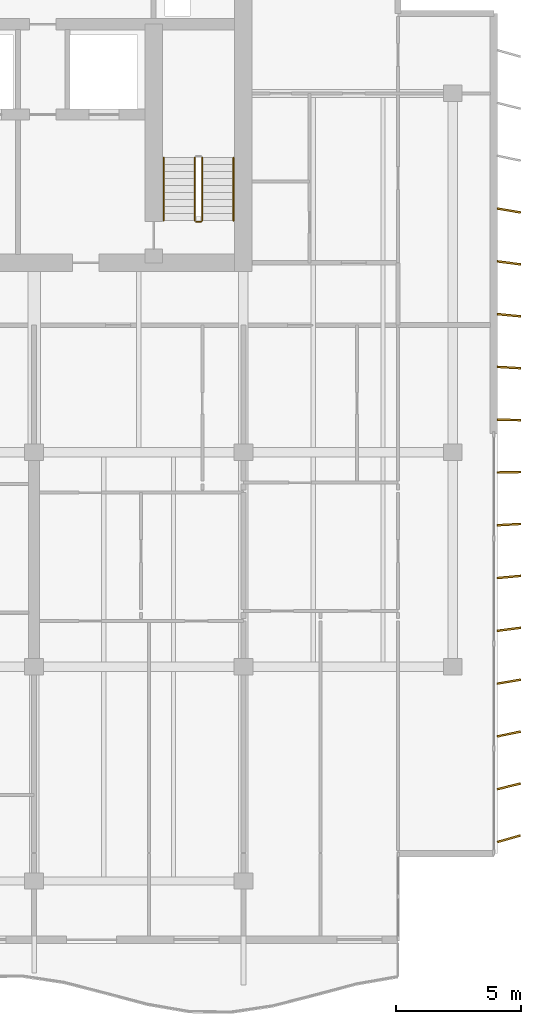
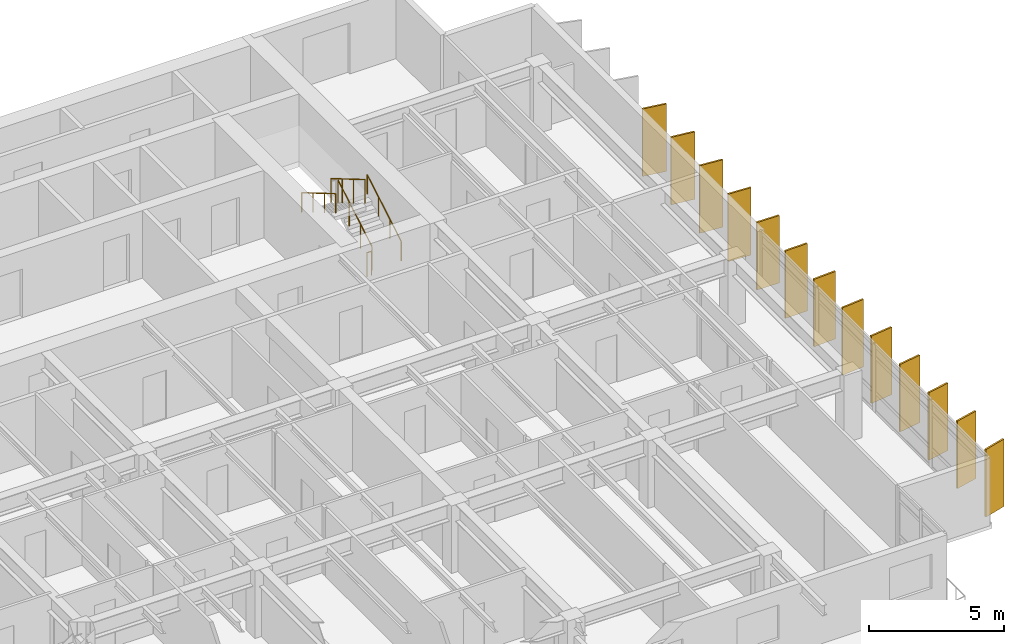
# One storey, part 15 of 17: 13 shading devices, 5 railings.
"""IFC4 building model written with IfcOpenShell, lengths in metres."""

from ifc_helpers import new_model, si_unit, direction, frame, origin, origin_2d, place, context, subcontext, project, spatial, rectangle, circle, extrude, material, material_profile, profile_set, type_object, element, save


model = new_model("IFC4")

# Units and contexts
model_context = context("Model", 3, precision=1e-05, world=origin(), true_north=direction((0.0, 1.0)))
body_context = subcontext(model_context, "Body", "Model", "MODEL_VIEW")
ifc_project = project(units=[si_unit("LENGTHUNIT", "METRE"), si_unit("AREAUNIT", "SQUARE_METRE"), si_unit("VOLUMEUNIT", "CUBIC_METRE"), si_unit("PLANEANGLEUNIT", "RADIAN"), si_unit("MASSUNIT", "GRAM", prefix="KILO")], contexts=[model_context])

# Site, building, storey
site_placement = place(None, origin())
site = spatial("IfcSite", under=ifc_project, at=site_placement, CompositionType="ELEMENT")
building_placement = place(site_placement, origin())
building = spatial("IfcBuilding", under=site, at=building_placement, Name="Caelmar Bay Residences", CompositionType="ELEMENT")
storey_placement = place(building_placement, frame((0.0, 0.0, 229.800048828125)))
storey = spatial("IfcBuildingStorey", under=building, at=storey_placement, Name="L64", CompositionType="ELEMENT", Elevation=229.800048828125)

# Railings
ifc_material_1 = material(Name="Painted galvanized steel stair guard 1100 mm", Category="steel")
railing_type_1 = type_object("IfcRailingType", Name="RL-GRD-1100", PredefinedType="GUARDRAIL", material=ifc_material_1)
railing_1_placement = place(storey_placement, frame((57.85009765625, 38.699951171875, 0.1650390625)))
element("IfcRailing", 1, at=railing_1_placement, inside=storey, type_object=railing_type_1, Name="L64 ST2 stair guard 1", PredefinedType="GUARDRAIL", context=body_context, shape_type="SweptSolid", body=[
    extrude(circle(Radius=0.02392578125, at=origin_2d()), frame((0.0, 0.0, 1.076171875), z_axis=(0.0, 0.861560626758, 0.507654692109), x_axis=(-1.0, 0.0, 0.0)), (0.0, 0.0, 1.0), 2.925048828125),
    extrude(circle(Radius=0.02099609375, at=origin_2d()), origin(), (0.0, 0.0, 1.0), 1.052001953125),
    extrude(circle(Radius=0.02099609375, at=origin_2d()), frame((0.0, 0.840087890625, 0.494873046875)), (0.0, 0.0, 1.0), 1.052001953125),
    extrude(circle(Radius=0.02099609375, at=origin_2d()), frame((0.0, 1.679931640625, 0.989990234375)), (0.0, 0.0, 1.0), 1.052001953125),
    extrude(circle(Radius=0.02099609375, at=origin_2d()), frame((0.0, 2.52001953125, 1.48486328125)), (0.0, 0.0, 1.0), 1.052001953125),
])
railing_2_placement = place(storey_placement, frame((57.550048828125, 41.219970703125, 1.81494140625)))
element("IfcRailing", 2, at=railing_2_placement, inside=storey, type_object=railing_type_1, Name="L64 ST2 stair guard 3", PredefinedType="GUARDRAIL", context=body_context, shape_type="SweptSolid", body=[
    extrude(circle(Radius=0.02392578125, at=origin_2d()), frame((0.0, 0.0, 1.076171875), z_axis=(0.0, -0.86152411907, 0.507716645641), x_axis=(1.0, 0.0, 0.0)), (0.0, 0.0, 1.0), 2.925048828125),
    extrude(circle(Radius=0.02099609375, at=origin_2d()), origin(), (0.0, 0.0, 1.0), 1.052001953125),
    extrude(circle(Radius=0.02099609375, at=origin_2d()), frame((0.0, -0.840087890625, 0.4951171875)), (0.0, 0.0, 1.0), 1.052001953125),
    extrude(circle(Radius=0.02099609375, at=origin_2d()), frame((0.0, -1.679931640625, 0.989990234375)), (0.0, 0.0, 1.0), 1.052001953125),
    extrude(circle(Radius=0.02099609375, at=origin_2d()), frame((0.0, -2.52001953125, 1.485107421875)), (0.0, 0.0, 1.0), 1.052001953125),
])
railing_3_placement = place(storey_placement, frame((57.800048828125, 38.64990234375, 0.0)))
element("IfcRailing", 3, at=railing_3_placement, inside=storey, type_object=railing_type_1, Name="L64 ST2 stair guard 4", PredefinedType="GUARDRAIL", context=body_context, shape_type="SweptSolid", body=[
    extrude(circle(Radius=0.02392578125, at=origin_2d()), frame((0.0, 0.0, 1.076171875), z_axis=(-1.0, 0.0, 0.0), x_axis=(0.0, -1.0, 0.0)), (0.0, 0.0, 1.0), 0.199951171875),
    extrude(circle(Radius=0.02099609375, at=origin_2d()), origin(), (0.0, 0.0, 1.0), 1.052001953125),
    extrude(circle(Radius=0.02099609375, at=origin_2d()), frame((-0.199951171875, 0.0, 0.0)), (0.0, 0.0, 1.0), 1.052001953125),
])
ifc_material_2 = material(Name="Brushed bronze stainless-steel tubular handrail 900 mm", Category="steel")
railing_type_2 = type_object("IfcRailingType", Name="RL-HND-900", PredefinedType="HANDRAIL", material=ifc_material_2)
railing_4_placement = place(storey_placement, frame((59.10009765625, 38.699951171875, 0.1650390625)))
element("IfcRailing", 4, at=railing_4_placement, inside=storey, type_object=railing_type_2, Name="L64 ST2 stair handrail 1", PredefinedType="HANDRAIL", context=body_context, shape_type="SweptSolid", body=[
    extrude(circle(Radius=0.02392578125, at=origin_2d()), frame((0.0, 0.0, 0.8759765625), z_axis=(0.0, 0.861560626758, 0.507654692109), x_axis=(-1.0, 0.0, 0.0)), (0.0, 0.0, 1.0), 2.925048828125),
    extrude(circle(Radius=0.02099609375, at=origin_2d()), origin(), (0.0, 0.0, 1.0), 0.851806640625),
    extrude(circle(Radius=0.02099609375, at=origin_2d()), frame((0.0, 0.840087890625, 0.494873046875)), (0.0, 0.0, 1.0), 0.851806640625),
    extrude(circle(Radius=0.02099609375, at=origin_2d()), frame((0.0, 1.679931640625, 0.989990234375)), (0.0, 0.0, 1.0), 0.851806640625),
    extrude(circle(Radius=0.02099609375, at=origin_2d()), frame((0.0, 2.52001953125, 1.48486328125)), (0.0, 0.0, 1.0), 0.851806640625),
])
railing_5_placement = place(storey_placement, frame((56.300048828125, 41.219970703125, 1.81494140625)))
element("IfcRailing", 5, at=railing_5_placement, inside=storey, type_object=railing_type_2, Name="L64 ST2 stair handrail 2", PredefinedType="HANDRAIL", context=body_context, shape_type="SweptSolid", body=[
    extrude(circle(Radius=0.02392578125, at=origin_2d()), frame((0.0, 0.0, 0.8759765625), z_axis=(0.0, -0.86152411907, 0.507716645641), x_axis=(1.0, 0.0, 0.0)), (0.0, 0.0, 1.0), 2.925048828125),
    extrude(circle(Radius=0.02099609375, at=origin_2d()), origin(), (0.0, 0.0, 1.0), 0.851806640625),
    extrude(circle(Radius=0.02099609375, at=origin_2d()), frame((0.0, -0.840087890625, 0.4951171875)), (0.0, 0.0, 1.0), 0.851806640625),
    extrude(circle(Radius=0.02099609375, at=origin_2d()), frame((0.0, -1.679931640625, 0.989990234375)), (0.0, 0.0, 1.0), 0.851806640625),
    extrude(circle(Radius=0.02099609375, at=origin_2d()), frame((0.0, -2.52001953125, 1.485107421875)), (0.0, 0.0, 1.0), 0.851806640625),
])

# Shading devices
ifc_material_3 = material(Name="Anodised architectural bronze aluminium 6063-T6", Category="aluminium")
ifc_material_profile = material_profile(ifc_material_3, rectangle(XDim=0.074951171875, YDim=0.949951171875, at=origin_2d()), Name="BRONZE-FIN-75X950")
ifc_profile_set = profile_set([ifc_material_profile], Name="Anodised architectural bronze aluminium 6063-T6")
shading_device_type = type_object("IfcShadingDeviceType", Name="SHD-FIN-950", PredefinedType="USERDEFINED", material=ifc_profile_set)
for number, where, z_axis, x_axis, name in (
    (6, (70.14990234375, 13.89990234375, 0.0), (0.0, 0.0, 1.0), (-0.275637355817, 0.961261695938, 0.0), "L64 East Bronze Solar Fin 1"),
    (7, (70.14990234375, 16.0, 0.0), (0.0, 0.0, 1.0), (-0.239719743609, 0.970842131618, 0.0), "L64 East Bronze Solar Fin 2"),
    (8, (70.14990234375, 18.10009765625, 0.0), (0.0, 0.0, 1.0), (-0.2032999874, 0.979116497217, 0.0), "L64 East Bronze Solar Fin 3"),
    (9, (70.14990234375, 20.199951171875, 0.0), (0.0, 0.0, 1.0), (-0.166768746716, 0.985996037071, 0.0), "L64 East Bronze Solar Fin 4"),
    (10, (70.14990234375, 22.300048828125, 0.0), (0.0, 0.0, 1.0), (-0.130007055036, 0.99151306882, 0.0), "L64 East Bronze Solar Fin 5"),
    (11, (70.14990234375, 24.39990234375, 0.0), (0.0, 0.0, 1.0), (-0.092891934994, 0.995676196569, 0.0), "L64 East Bronze Solar Fin 6"),
    (12, (70.14990234375, 26.5, 0.0), (0.0, 0.0, 1.0), (-0.055821504993, 0.998440764182, 0.0), "L64 East Bronze Solar Fin 7"),
    (13, (70.14990234375, 28.60009765625, 0.0), (0.0, 0.0, 1.0), (-0.018673937509, 0.999825626826, 0.0), "L64 East Bronze Solar Fin 8"),
    (14, (70.14990234375, 30.699951171875, 0.0), (0.0, 0.0, 1.0), (0.018673937509, 0.999825626826, 0.0), "L64 East Bronze Solar Fin 9"),
    (15, (70.14990234375, 32.800048828125, 0.0), (0.0, 0.0, 1.0), (0.055821504993, 0.998440764182, 0.0), "L64 East Bronze Solar Fin 10"),
    (16, (70.14990234375, 34.89990234375, 0.0), (0.0, 0.0, 1.0), (0.092891934994, 0.995676196569, 0.0), "L64 East Bronze Solar Fin 11"),
    (17, (70.14990234375, 37.0, 0.0), (0.0, 0.0, 1.0), (0.130007055036, 0.99151306882, 0.0), "L64 East Bronze Solar Fin 12"),
    (18, (70.14990234375, 39.10009765625, 0.0), (0.0, 0.0, 1.0), (0.166768746716, 0.985996037071, 0.0), "L64 East Bronze Solar Fin 13"),
):
    element("IfcShadingDevice", number, at=place(storey_placement, frame(where, z_axis=z_axis, x_axis=x_axis)), inside=storey, type_object=shading_device_type, Name=name, ObjectType="FIN", PredefinedType="USERDEFINED", context=body_context, shape_type="SweptSolid", body=[
        extrude(rectangle(XDim=0.074951171875, YDim=0.949951171875, at=origin_2d()), origin(), (0.0, 0.0, 1.0), 3.050048828125),
    ])

save(model, "model.ifc")
